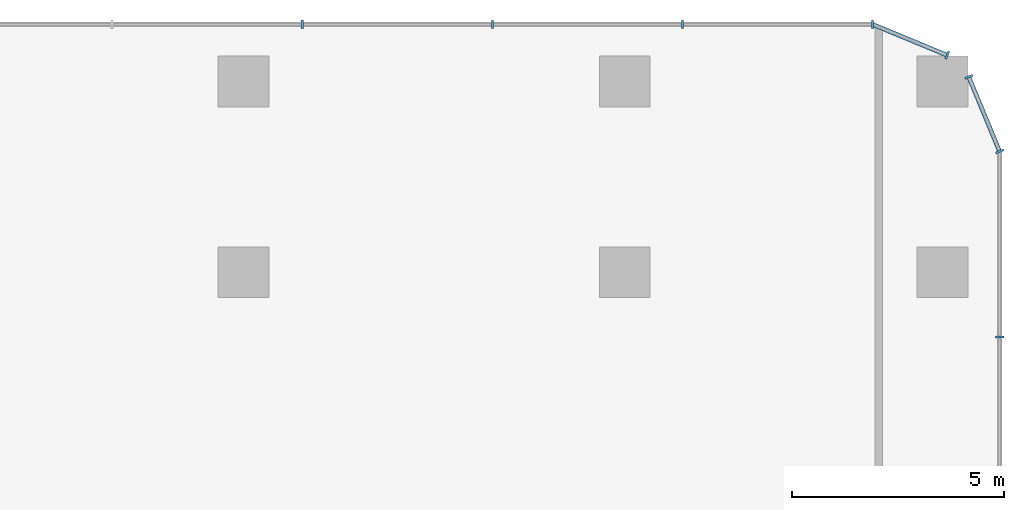
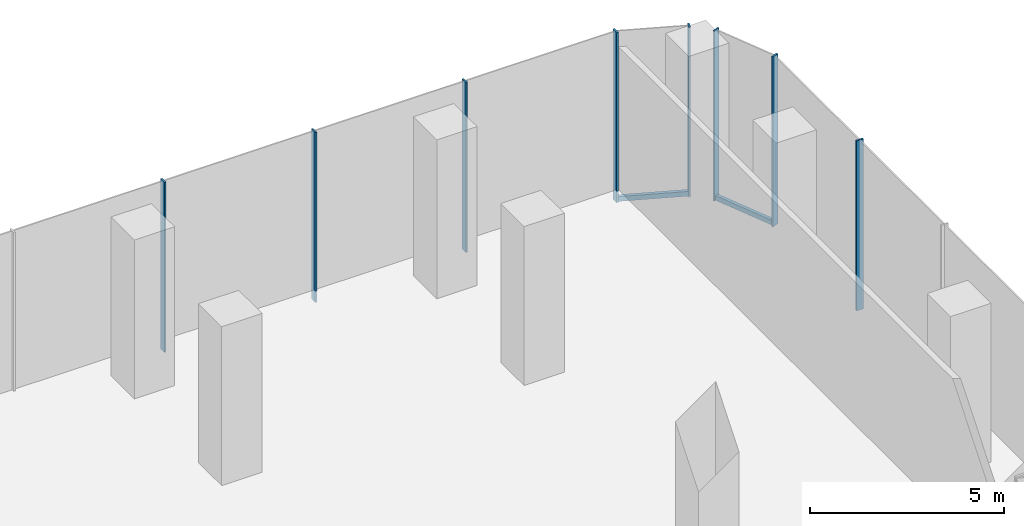
# One storey, part 20 of 36: 10 members, 4 elements without a shape of their own.
"""IFC4 building model written with IfcOpenShell, lengths in metres."""

from ifc_helpers import new_model, si_unit, direction, frame, origin, origin_2d, place, context, subcontext, project, spatial, rectangle, extrude, material, layer, layer_set, material_profile, profile_set, type_object, element, aggregate, save


model = new_model("IFC4")

# Units and contexts
model_context = context("Model", 3, precision=1e-05, world=origin(), true_north=direction((0.0, 1.0)))
body_context = subcontext(model_context, "Body", "Model", "MODEL_VIEW")
ifc_project = project(units=[si_unit("LENGTHUNIT", "METRE"), si_unit("AREAUNIT", "SQUARE_METRE"), si_unit("VOLUMEUNIT", "CUBIC_METRE"), si_unit("PLANEANGLEUNIT", "RADIAN"), si_unit("MASSUNIT", "GRAM", prefix="KILO")], contexts=[model_context])

# Site, building, storey
site_placement = place(None, origin())
site = spatial("IfcSite", under=ifc_project, at=site_placement, CompositionType="ELEMENT")
building_placement = place(site_placement, origin())
building = spatial("IfcBuilding", under=site, at=building_placement, Name="Plateau Cross Towers", CompositionType="ELEMENT")
storey_placement = place(building_placement, frame((0.0, 0.0, 21.800048828125)))
storey = spatial("IfcBuildingStorey", under=building, at=storey_placement, Name="L04", CompositionType="ELEMENT", Elevation=21.800048828125)

# Curtain wall, member
ifc_material_1 = material(Name="Dark low-iron laminated glass", Category="glass")
ifc_layer = layer(ifc_material_1, 0.300048828125)
ifc_layer_set = layer_set([ifc_layer], Name="Dark low-iron laminated glass")
curtain_wall_type = type_object("IfcCurtainWallType", Name="Curtain wall structural silicone CW-C", PredefinedType="NOTDEFINED", material=ifc_layer_set)
curtain_wall_1_placement = place(storey_placement, origin())
curtain_wall_1 = element("IfcCurtainWall", 1, at=curtain_wall_1_placement, inside=storey, type_object=curtain_wall_type, Name="ENV/P/L04/P1078_-88", PredefinedType="NOTDEFINED")
ifc_material_2 = material(Name="Black anodised aluminium", Category="aluminium")
ifc_material_profile_1 = material_profile(ifc_material_2, rectangle(XDim=0.050048828125, YDim=0.199951171875, at=origin_2d()), Name="MULLION 50x200")
ifc_profile_set_1 = profile_set([ifc_material_profile_1], Name="Black anodised aluminium")
member_type_1 = type_object("IfcMemberType", Name="Mullion 50x200 structural silicone", PredefinedType="MULLION", material=ifc_profile_set_1)
member_1_placement = place(storey_placement, frame((107.85009765625, 52.469970703125, -0.35009765625), z_axis=(0.0, 0.0, 1.0), x_axis=(0.0, 1.0, 0.0)))
member_1 = element("IfcMember", 2, at=member_1_placement, type_object=member_type_1, Name="CW-C mullion 15", PredefinedType="MULLION", context=body_context, shape_type="SweptSolid", body=[
    extrude(rectangle(XDim=0.050048828125, YDim=0.199951171875, at=origin_2d()), origin(), (0.0, 0.0, 1.0), 5.35009765625),
])
aggregate(curtain_wall_1, [member_1])

# Curtain wall, members
curtain_wall_2_placement = place(storey_placement, origin())
curtain_wall_2 = element("IfcCurtainWall", 3, at=curtain_wall_2_placement, inside=storey, type_object=curtain_wall_type, Name="ENV/P/L04/P1078_568", PredefinedType="NOTDEFINED")
member_2_placement = place(storey_placement, frame((107.85009765625, 56.85009765625, -0.35009765625), z_axis=(0.0, 0.0, 1.0), x_axis=(-0.382683612978, 0.923879457699, 0.0)))
member_2 = element("IfcMember", 4, at=member_2_placement, type_object=member_type_1, Name="CW-C mullion 1", PredefinedType="MULLION", context=body_context, shape_type="SweptSolid", body=[
    extrude(rectangle(XDim=0.050048828125, YDim=0.199951171875, at=origin_2d()), origin(), (0.0, 0.0, 1.0), 5.35009765625),
])
member_3_placement = place(storey_placement, frame((107.1201171875, 58.6123046875, -0.35009765625), z_axis=(0.0, 0.0, 1.0), x_axis=(-0.382683612978, 0.923879457699, 0.0)))
member_3 = element("IfcMember", 5, at=member_3_placement, type_object=member_type_1, Name="CW-C mullion 2", PredefinedType="MULLION", context=body_context, shape_type="SweptSolid", body=[
    extrude(rectangle(XDim=0.050048828125, YDim=0.199951171875, at=origin_2d()), origin(), (0.0, 0.0, 1.0), 5.35009765625),
])

# Curtain wall, member
curtain_wall_3_placement = place(storey_placement, origin())
curtain_wall_3 = element("IfcCurtainWall", 6, at=curtain_wall_3_placement, inside=storey, type_object=curtain_wall_type, Name="ENV/P/L04/P1066_591", PredefinedType="NOTDEFINED")
member_4_placement = place(storey_placement, frame((106.6123046875, 59.1201171875, -0.35009765625), z_axis=(0.0, 0.0, 1.0), x_axis=(-0.923879457699, 0.382683612978, 0.0)))
member_4 = element("IfcMember", 7, at=member_4_placement, type_object=member_type_1, Name="CW-C mullion 1", PredefinedType="MULLION", context=body_context, shape_type="SweptSolid", body=[
    extrude(rectangle(XDim=0.050048828125, YDim=0.199951171875, at=origin_2d()), origin(), (0.0, 0.0, 1.0), 5.35009765625),
])

# Curtain wall, members
curtain_wall_4_placement = place(storey_placement, origin())
curtain_wall_4 = element("IfcCurtainWall", 8, at=curtain_wall_4_placement, inside=storey, type_object=curtain_wall_type, Name="ENV/P/L04/P1048_598", PredefinedType="NOTDEFINED")
member_5_placement = place(storey_placement, frame((104.85009765625, 59.85009765625, -0.35009765625), z_axis=(0.0, 0.0, 1.0), x_axis=(-1.0, 0.0, 0.0)))
member_5 = element("IfcMember", 9, at=member_5_placement, type_object=member_type_1, Name="CW-C mullion 1", PredefinedType="MULLION", context=body_context, shape_type="SweptSolid", body=[
    extrude(rectangle(XDim=0.050048828125, YDim=0.199951171875, at=origin_2d()), origin(), (0.0, 0.0, 1.0), 5.35009765625),
])
member_6_placement = place(storey_placement, frame((100.362548828125, 59.85009765625, -0.35009765625), z_axis=(0.0, 0.0, 1.0), x_axis=(-1.0, 0.0, 0.0)))
member_6 = element("IfcMember", 10, at=member_6_placement, type_object=member_type_1, Name="CW-C mullion 2", PredefinedType="MULLION", context=body_context, shape_type="SweptSolid", body=[
    extrude(rectangle(XDim=0.050048828125, YDim=0.199951171875, at=origin_2d()), origin(), (0.0, 0.0, 1.0), 5.35009765625),
])
member_7_placement = place(storey_placement, frame((95.875, 59.85009765625, -0.35009765625), z_axis=(0.0, 0.0, 1.0), x_axis=(-1.0, 0.0, 0.0)))
member_7 = element("IfcMember", 11, at=member_7_placement, type_object=member_type_1, Name="CW-C mullion 3", PredefinedType="MULLION", context=body_context, shape_type="SweptSolid", body=[
    extrude(rectangle(XDim=0.050048828125, YDim=0.199951171875, at=origin_2d()), origin(), (0.0, 0.0, 1.0), 5.35009765625),
])
member_8_placement = place(storey_placement, frame((91.387451171875, 59.85009765625, -0.35009765625), z_axis=(0.0, 0.0, 1.0), x_axis=(-1.0, 0.0, 0.0)))
member_8 = element("IfcMember", 12, at=member_8_placement, type_object=member_type_1, Name="CW-C mullion 4", PredefinedType="MULLION", context=body_context, shape_type="SweptSolid", body=[
    extrude(rectangle(XDim=0.050048828125, YDim=0.199951171875, at=origin_2d()), origin(), (0.0, 0.0, 1.0), 5.35009765625),
])
aggregate(curtain_wall_4, [member_5, member_6, member_7, member_8])

# Member
ifc_material_profile_2 = material_profile(ifc_material_2, rectangle(XDim=0.10009765625, YDim=0.14990234375, at=origin_2d()), Name="TRANSOM 100x150")
ifc_profile_set_2 = profile_set([ifc_material_profile_2], Name="Black anodised aluminium")
member_type_2 = type_object("IfcMemberType", Name="Transom 100x150 structural silicone", PredefinedType="USERDEFINED", material=ifc_profile_set_2)
member_9_placement = place(storey_placement, frame((107.85009765625, 56.85009765625, -0.275146484375), z_axis=(-0.38270599329, 0.923870187147, 0.0), x_axis=(-0.923870187147, -0.38270599329, 0.0)))
member_9 = element("IfcMember", 13, at=member_9_placement, type_object=member_type_2, Name="CW-C transom", ObjectType="TRANSOM", PredefinedType="USERDEFINED", context=body_context, shape_type="SweptSolid", body=[
    extrude(rectangle(XDim=0.10009765625, YDim=0.14990234375, at=origin_2d()), origin(), (0.0, 0.0, 1.0), 1.907470703125),
])

aggregate(curtain_wall_2, [member_2, member_3, member_9])

member_10_placement = place(storey_placement, frame((106.6123046875, 59.1201171875, -0.275146484375), z_axis=(-0.923870187147, 0.38270599329, 0.0), x_axis=(-0.38270599329, -0.923870187147, 0.0)))
member_10 = element("IfcMember", 14, at=member_10_placement, type_object=member_type_2, Name="CW-C transom", ObjectType="TRANSOM", PredefinedType="USERDEFINED", context=body_context, shape_type="SweptSolid", body=[
    extrude(rectangle(XDim=0.10009765625, YDim=0.14990234375, at=origin_2d()), origin(), (0.0, 0.0, 1.0), 1.907470703125),
])

aggregate(curtain_wall_3, [member_4, member_10])

save(model, "model.ifc")
